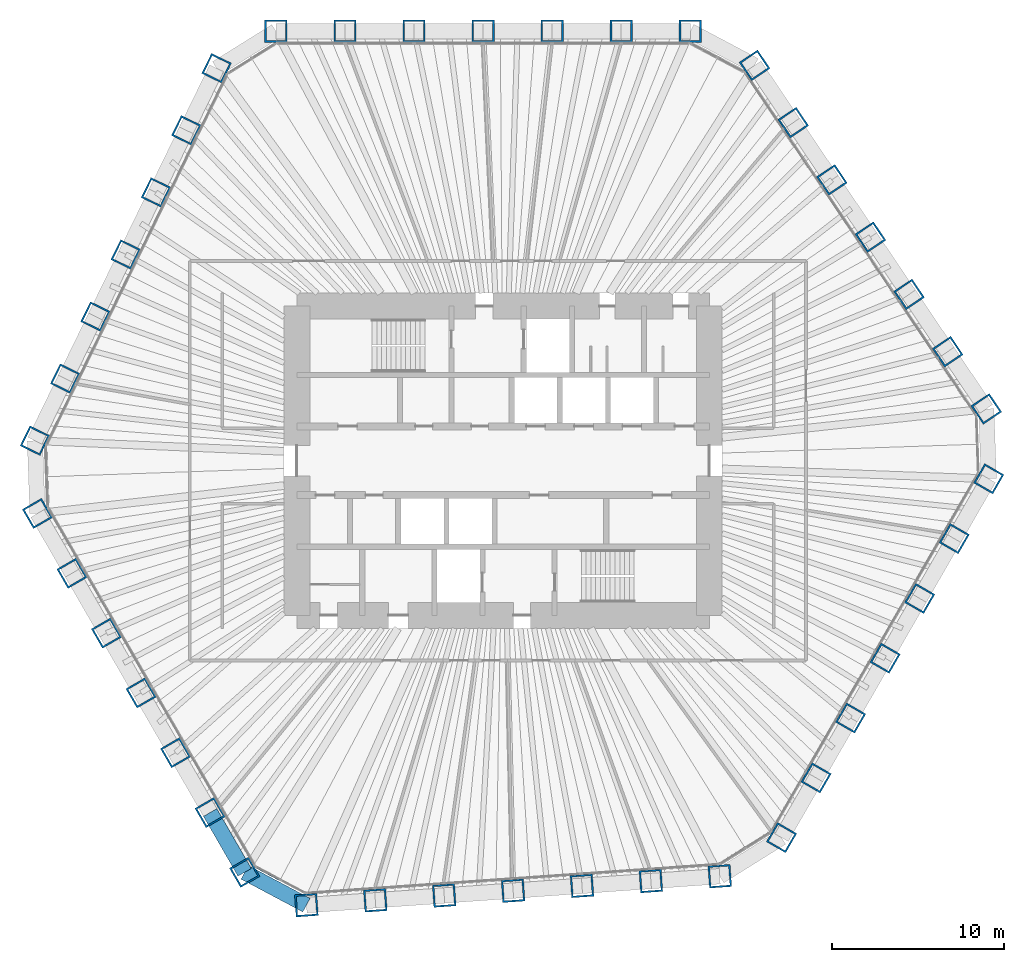
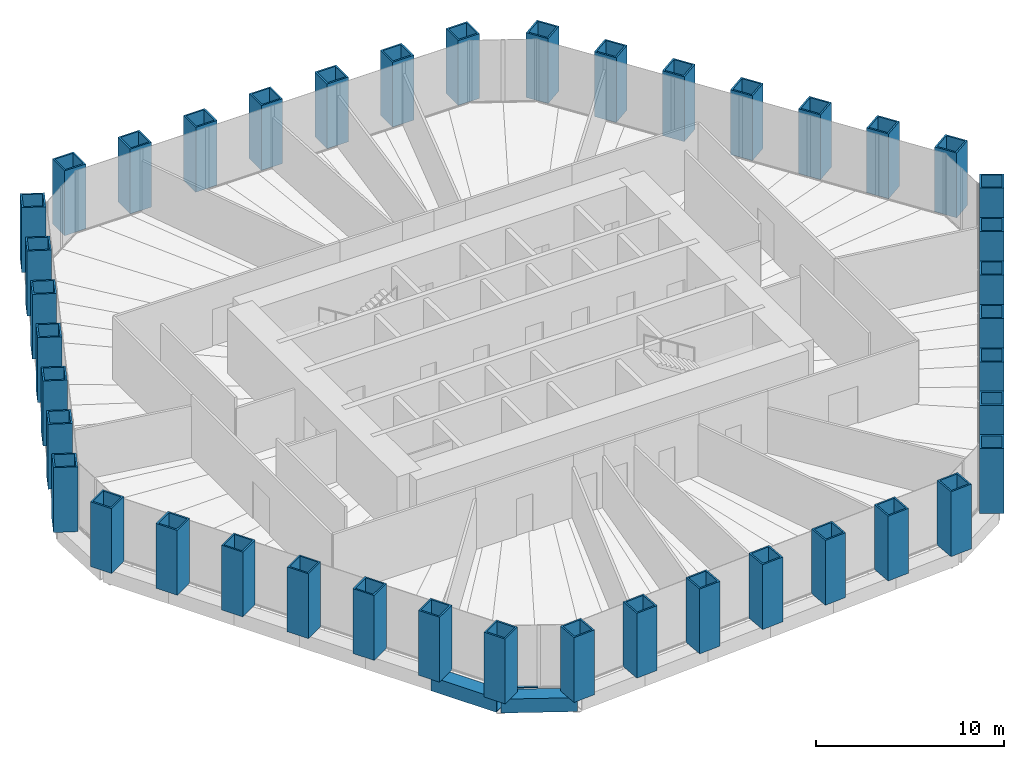
# One storey, part 1 of 13: 42 columns, 2 beams, 1 member, 1 element without a shape of its own.
"""IFC4 building model written with IfcOpenShell, lengths in metres."""

from ifc_helpers import new_model, si_unit, direction, frame, origin, origin_2d, place, context, subcontext, project, spatial, rectangle, hollow_rectangle, extrude, material, material_profile, profile_set, type_object, element, aggregate, save


model = new_model("IFC4")

# Units and contexts
model_context = context("Model", 3, precision=1e-05, world=origin(), true_north=direction((0.0, 1.0)))
body_context = subcontext(model_context, "Body", "Model", "MODEL_VIEW")
ifc_project = project(units=[si_unit("LENGTHUNIT", "METRE"), si_unit("AREAUNIT", "SQUARE_METRE"), si_unit("VOLUMEUNIT", "CUBIC_METRE"), si_unit("PLANEANGLEUNIT", "RADIAN"), si_unit("MASSUNIT", "GRAM", prefix="KILO")], contexts=[model_context])

# Site, building, storey
site_placement = place(None, origin())
site = spatial("IfcSite", under=ifc_project, at=site_placement, CompositionType="ELEMENT")
building_placement = place(site_placement, origin())
building = spatial("IfcBuilding", under=site, at=building_placement, Name="Qingtian Harvest Tower", CompositionType="ELEMENT")
storey_placement = place(building_placement, frame((0.0, 0.0, 111.39990234375)))
storey = spatial("IfcBuildingStorey", under=building, at=storey_placement, Name="L22", CompositionType="ELEMENT", Elevation=111.39990234375)

# Columns
ifc_material_1 = material(Name="Steel SM570MC", Category="steel")
ifc_material_profile_1 = material_profile(ifc_material_1, hollow_rectangle(XDim=1.300048828125, YDim=1.300048828125, WallThickness=0.10009765625, at=origin_2d()), Name="BOX1300x1300x100")
ifc_profile_set_1 = profile_set([ifc_material_profile_1], Name="Steel SM570MC")
column_type = type_object("IfcColumnType", Name="Tube column TC3 BOX1300x1300x100", PredefinedType="COLUMN", material=ifc_profile_set_1)
for number, where, z_axis, x_axis, name in (
    (1, (-13.2216796875, 25.0, 0.0), (0.0, 0.0, 1.0), (-1.0, 0.0, 0.0), "Tube column TC3 N0"),
    (2, (-9.20263671875, 25.0, 0.0), (0.0, 0.0, 1.0), (-1.0, 0.0, 0.0), "Tube column TC3 N1"),
    (3, (-5.18359375, 25.0, 0.0), (0.0, 0.0, 1.0), (-1.0, 0.0, 0.0), "Tube column TC3 N2"),
    (4, (-1.16455078125, 25.0, 0.0), (0.0, 0.0, 1.0), (-1.0, 0.0, 0.0), "Tube column TC3 N3"),
    (5, (2.8544921875, 25.0, 0.0), (0.0, 0.0, 1.0), (-1.0, 0.0, 0.0), "Tube column TC3 N4"),
    (6, (6.873779296875, 25.0, 0.0), (0.0, 0.0, 1.0), (-1.0, 0.0, 0.0), "Tube column TC3 N5"),
    (7, (10.892822265625, 25.0, 0.0), (0.0, 0.0, 1.0), (-1.0, 0.0, 0.0), "Tube column TC3 N6"),
    (8, (14.634765625, 23.01025390625, 0.0), (0.0, 0.0, 1.0), (-0.559192903471, 0.829037572555, 0.0), "Tube column TC3 NE0"),
    (9, (16.88232421875, 19.67822265625, 0.0), (0.0, 0.0, 1.0), (-0.559192903471, 0.829037572555, 0.0), "Tube column TC3 NE1"),
    (10, (19.129638671875, 16.346435546875, 0.0), (0.0, 0.0, 1.0), (-0.559192903471, 0.829037572555, 0.0), "Tube column TC3 NE2"),
    (11, (21.377197265625, 13.014404296875, 0.0), (0.0, 0.0, 1.0), (-0.559192903471, 0.829037572555, 0.0), "Tube column TC3 NE3"),
    (12, (23.62451171875, 9.682373046875, 0.0), (0.0, 0.0, 1.0), (-0.559192903471, 0.829037572555, 0.0), "Tube column TC3 NE4"),
    (13, (25.8720703125, 6.3505859375, 0.0), (0.0, 0.0, 1.0), (-0.559192903471, 0.829037572555, 0.0), "Tube column TC3 NE5"),
    (14, (28.119384765625, 3.0185546875, 0.0), (0.0, 0.0, 1.0), (-0.559192903471, 0.829037572555, 0.0), "Tube column TC3 NE6"),
    (15, (28.261474609375, -1.049560546875, 0.0), (0.0, 0.0, 1.0), (0.5, 0.866025403784, 0.0), "Tube column TC3 SE0"),
    (16, (26.251953125, -4.5302734375, 0.0), (0.0, 0.0, 1.0), (0.5, 0.866025403784, 0.0), "Tube column TC3 SE1"),
    (17, (24.242431640625, -8.010986328125, 0.0), (0.0, 0.0, 1.0), (0.5, 0.866025403784, 0.0), "Tube column TC3 SE2"),
    (18, (22.23291015625, -11.491455078125, 0.0), (0.0, 0.0, 1.0), (0.5, 0.866025403784, 0.0), "Tube column TC3 SE3"),
    (19, (20.223388671875, -14.97216796875, 0.0), (0.0, 0.0, 1.0), (0.5, 0.866025403784, 0.0), "Tube column TC3 SE4"),
    (20, (18.2138671875, -18.452880859375, 0.0), (0.0, 0.0, 1.0), (0.5, 0.866025403784, 0.0), "Tube column TC3 SE5"),
    (21, (16.204345703125, -21.933349609375, 0.0), (0.0, 0.0, 1.0), (0.5, 0.866025403784, 0.0), "Tube column TC3 SE6"),
    (22, (12.610107421875, -24.17919921875, 0.0), (0.0, 0.0, 1.0), (0.99756405026, 0.069756473744, 0.0), "Tube column TC3 S0"),
    (23, (8.600830078125, -24.459716796875, 0.0), (0.0, 0.0, 1.0), (0.99756405026, 0.069756473744, 0.0), "Tube column TC3 S1"),
    (24, (4.591552734375, -24.739990234375, 0.0), (0.0, 0.0, 1.0), (0.99756405026, 0.069756473744, 0.0), "Tube column TC3 S2"),
    (25, (0.582275390625, -25.020263671875, 0.0), (0.0, 0.0, 1.0), (0.99756405026, 0.069756473744, 0.0), "Tube column TC3 S3"),
    (26, (-3.427001953125, -25.30078125, 0.0), (0.0, 0.0, 1.0), (0.99756405026, 0.069756473744, 0.0), "Tube column TC3 S4"),
    (27, (-7.436279296875, -25.5810546875, 0.0), (0.0, 0.0, 1.0), (0.99756405026, 0.069756473744, 0.0), "Tube column TC3 S5"),
    (28, (-11.445556640625, -25.861328125, 0.0), (0.0, 0.0, 1.0), (0.99756405026, 0.069756473744, 0.0), "Tube column TC3 S6"),
    (29, (-15.039794921875, -23.950439453125, 0.0), (0.0, 0.0, 1.0), (0.5, -0.866025403784, 0.0), "Tube column TC3 SW0"),
    (30, (-17.04931640625, -20.4697265625, 0.0), (0.0, 0.0, 1.0), (0.5, -0.866025403784, 0.0), "Tube column TC3 SW1"),
    (31, (-19.058837890625, -16.989013671875, 0.0), (0.0, 0.0, 1.0), (0.5, -0.866025403784, 0.0), "Tube column TC3 SW2"),
    (32, (-21.068359375, -13.508544921875, 0.0), (0.0, 0.0, 1.0), (0.5, -0.866025403784, 0.0), "Tube column TC3 SW3"),
    (33, (-23.077880859375, -10.02783203125, 0.0), (0.0, 0.0, 1.0), (0.5, -0.866025403784, 0.0), "Tube column TC3 SW4"),
    (34, (-25.08740234375, -6.547119140625, 0.0), (0.0, 0.0, 1.0), (0.5, -0.866025403784, 0.0), "Tube column TC3 SW5"),
    (35, (-27.096923828125, -3.066650390625, 0.0), (0.0, 0.0, 1.0), (0.5, -0.866025403784, 0.0), "Tube column TC3 SW6"),
    (36, (-27.244873046875, 1.1689453125, 0.0), (0.0, 0.0, 1.0), (-0.438371146789, -0.898794046299, 0.0), "Tube column TC3 NW0"),
    (37, (-25.483154296875, 4.78125, 0.0), (0.0, 0.0, 1.0), (-0.438371146789, -0.898794046299, 0.0), "Tube column TC3 NW1"),
    (38, (-23.72119140625, 8.3935546875, 0.0), (0.0, 0.0, 1.0), (-0.438371146789, -0.898794046299, 0.0), "Tube column TC3 NW2"),
    (39, (-21.95947265625, 12.005859375, 0.0), (0.0, 0.0, 1.0), (-0.438371146789, -0.898794046299, 0.0), "Tube column TC3 NW3"),
    (40, (-20.197509765625, 15.6181640625, 0.0), (0.0, 0.0, 1.0), (-0.438371146789, -0.898794046299, 0.0), "Tube column TC3 NW4"),
    (41, (-18.435791015625, 19.23046875, 0.0), (0.0, 0.0, 1.0), (-0.438371146789, -0.898794046299, 0.0), "Tube column TC3 NW5"),
    (42, (-16.673828125, 22.8427734375, 0.0), (0.0, 0.0, 1.0), (-0.438371146789, -0.898794046299, 0.0), "Tube column TC3 NW6"),
):
    element("IfcColumn", number, at=place(storey_placement, frame(where, z_axis=z_axis, x_axis=x_axis)), inside=storey, type_object=column_type, Name=name, PredefinedType="COLUMN", context=body_context, shape_type="SweptSolid", body=[
        extrude(hollow_rectangle(XDim=1.300048828125, YDim=1.300048828125, WallThickness=0.10009765625, at=origin_2d()), origin(), (0.0, 0.0, 1.0), 4.2001953125),
    ])

# Beams
ifc_material_2 = material(Name="Steel SM570MC", Category="steel")
ifc_material_profile_2 = material_profile(ifc_material_2, hollow_rectangle(XDim=0.89990234375, YDim=0.89990234375, WallThickness=0.050048828125, at=origin_2d()), Name="BOX900x900x50")
ifc_profile_set_2 = profile_set([ifc_material_profile_2], Name="Steel SM570MC")
beam_type = type_object("IfcBeamType", Name="Transition spandrel SB6 BOX900x900x50", PredefinedType="SPANDREL", material=ifc_profile_set_2)
beam_1_placement = place(storey_placement, frame((-11.445556640625, -25.861328125, -0.449951171875), z_axis=(-0.882968133669, 0.469432929101, 0.0), x_axis=(-0.469432929101, -0.882968133669, 0.0)))
element("IfcBeam", 43, at=beam_1_placement, inside=storey, type_object=beam_type, Name="Spandrel SB6 SC", PredefinedType="SPANDREL", context=body_context, shape_type="SweptSolid", body=[
    extrude(hollow_rectangle(XDim=0.89990234375, YDim=0.89990234375, WallThickness=0.050048828125, at=origin_2d()), origin(), (0.0, 0.0, 1.0), 4.070556640625),
])
beam_2_placement = place(storey_placement, frame((-15.039794921875, -23.950439453125, -0.449951171875), z_axis=(-0.499987116613, 0.866032841884, 0.0), x_axis=(-0.866032841884, -0.499987116613, 0.0)))
element("IfcBeam", 44, at=beam_2_placement, inside=storey, type_object=beam_type, Name="Spandrel SB6 SW0", PredefinedType="SPANDREL", context=body_context, shape_type="SweptSolid", body=[
    extrude(hollow_rectangle(XDim=0.89990234375, YDim=0.89990234375, WallThickness=0.050048828125, at=origin_2d()), origin(), (0.0, 0.0, 1.0), 4.01904296875),
])

# Curtain wall, member
ifc_material_3 = material(Name="Bronze-anodised aluminium curtain wall", Category="aluminium")
curtain_wall_type = type_object("IfcCurtainWallType", Name="Curtain wall CW4 office", PredefinedType="USERDEFINED", material=ifc_material_3)
curtain_wall_placement = place(storey_placement, origin())
curtain_wall = element("IfcCurtainWall", 45, at=curtain_wall_placement, inside=storey, type_object=curtain_wall_type, Name="Curtain wall CW4 L22 SC", ObjectType="RECESSED CURTAIN WALL", PredefinedType="USERDEFINED")
ifc_material_4 = material(Name="Bronze-anodised aluminium transom", Category="aluminium")
ifc_material_profile_3 = material_profile(ifc_material_4, rectangle(XDim=0.14990234375, YDim=0.06494140625, at=origin_2d()), Name="AL 65x150")
ifc_profile_set_3 = profile_set([ifc_material_profile_3], Name="Bronze-anodised aluminium transom")
member_type = type_object("IfcMemberType", Name="Transom CWT 65x150", PredefinedType="USERDEFINED", material=ifc_profile_set_3)
member_placement = place(storey_placement, frame((-12.99267578125, -24.366455078125, 0.03271484375), z_axis=(-0.882960338349, 0.46944759122, 0.0), x_axis=(-0.46944759122, -0.882960338349, 0.0)))
member = element("IfcMember", 46, at=member_placement, type_object=member_type, Name="CW4 transom 2.1", ObjectType="TRANSOM", PredefinedType="USERDEFINED", context=body_context, shape_type="SweptSolid", body=[
    extrude(rectangle(XDim=0.14990234375, YDim=0.06494140625, at=origin_2d()), origin(), (0.0, 0.0, 1.0), 1.56689453125),
])
aggregate(curtain_wall, [member])

save(model, "model.ifc")
